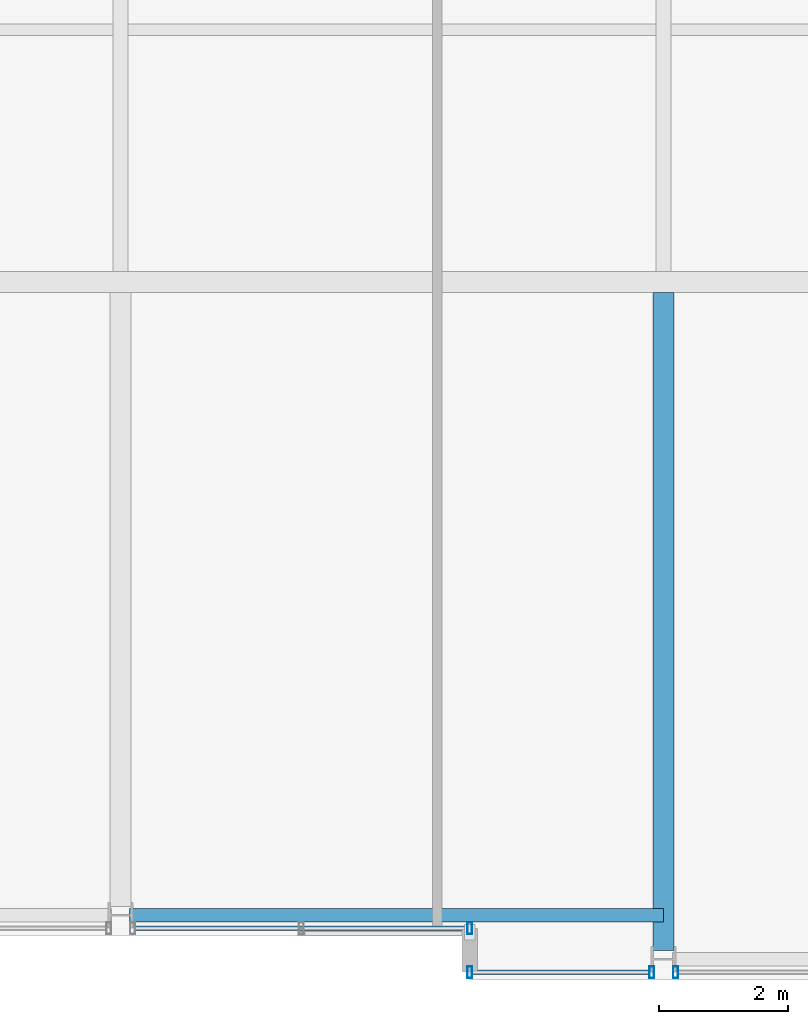
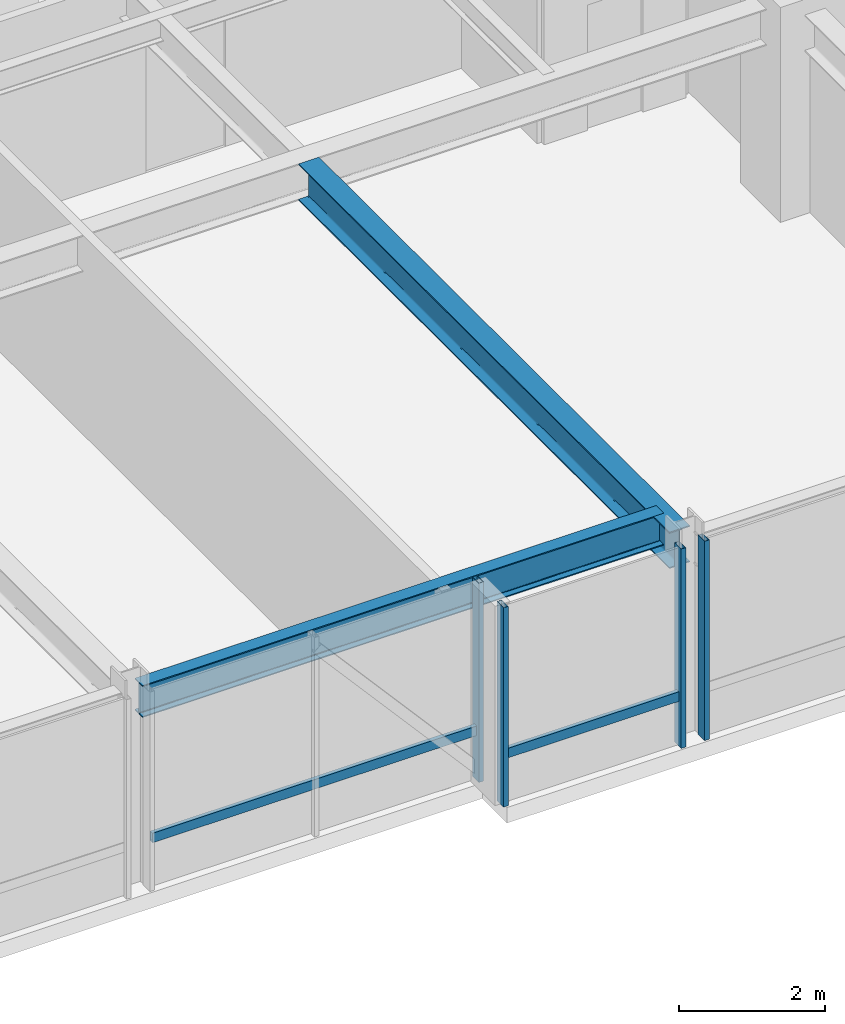
# One storey, part 6 of 31: 6 members, 2 beams, 3 elements without a shape of their own.
"""IFC4 building model written with IfcOpenShell, lengths in metres."""

from ifc_helpers import new_model, si_unit, direction, frame, origin, origin_2d, place, context, subcontext, project, spatial, hollow_rectangle, i_section, extrude, material, layer, layer_set, material_profile, profile_set, type_object, element, aggregate, save


model = new_model("IFC4")

# Units and contexts
model_context = context("Model", 3, precision=1e-05, world=origin(), true_north=direction((0.0, 1.0)))
body_context = subcontext(model_context, "Body", "Model", "MODEL_VIEW")
ifc_project = project(units=[si_unit("LENGTHUNIT", "METRE"), si_unit("AREAUNIT", "SQUARE_METRE"), si_unit("VOLUMEUNIT", "CUBIC_METRE"), si_unit("PLANEANGLEUNIT", "RADIAN"), si_unit("MASSUNIT", "GRAM", prefix="KILO")], contexts=[model_context])

# Site, building, storey
site_placement = place(None, origin())
site = spatial("IfcSite", under=ifc_project, at=site_placement, CompositionType="ELEMENT")
building_placement = place(site_placement, origin())
building = spatial("IfcBuilding", under=site, at=building_placement, Name="Drelvath Grand Hotel", CompositionType="ELEMENT")
storey_placement = place(building_placement, frame((0.0, 0.0, 219.5)))
storey = spatial("IfcBuildingStorey", under=building, at=storey_placement, Name="L57", CompositionType="ELEMENT", Elevation=219.5)

# Curtain wall, member
ifc_material_1 = material(Name="Platinum-Mist Anodised Aluminium Frame", Category="aluminium")
ifc_layer = layer(ifc_material_1, 0.199951171875)
ifc_layer_set = layer_set([ifc_layer], Name="Platinum-Mist Anodised Aluminium Frame")
curtain_wall_type = type_object("IfcCurtainWallType", Name="Stick Curtain Wall CW-05 Platinum Mist High-Rise", PredefinedType="NOTDEFINED", material=ifc_layer_set)
curtain_wall_1_placement = place(storey_placement, origin())
curtain_wall_1 = element("IfcCurtainWall", 1, at=curtain_wall_1_placement, inside=storey, type_object=curtain_wall_type, Name="L57 CW-05 Curtain Wall CW05-L57-SE1", PredefinedType="NOTDEFINED")
ifc_material_profile_1 = material_profile(ifc_material_1, hollow_rectangle(XDim=0.06494140625, YDim=0.159912109375, WallThickness=0.00390625, at=origin_2d()), Name="HSS160X65X4")
ifc_profile_set_1 = profile_set([ifc_material_profile_1], Name="Platinum-Mist Anodised Aluminium Frame")
member_type_1 = type_object("IfcMemberType", Name="Curtain Wall Horizontal Transom CW-05 HSS160X65X4", PredefinedType="USERDEFINED", material=ifc_profile_set_1)
member_1_placement = place(storey_placement, frame((8.1748046875, 0.1201171875, 0.8349609375), z_axis=(-1.0, 0.0, 0.0), x_axis=(0.0, -1.0, 0.0)))
member_1 = element("IfcMember", 2, at=member_1_placement, type_object=member_type_1, Name="CW05-L57-SE1 Sill Transom", ObjectType="TRANSOM", PredefinedType="USERDEFINED", context=body_context, shape_type="SweptSolid", body=[
    extrude(hollow_rectangle(XDim=0.06494140625, YDim=0.159912109375, WallThickness=0.00390625, at=origin_2d()), origin(), (0.0, 0.0, 1.0), 2.73486328125),
])

curtain_wall_2_placement = place(storey_placement, origin())
curtain_wall_2 = element("IfcCurtainWall", 3, at=curtain_wall_2_placement, inside=storey, type_object=curtain_wall_type, Name="L57 CW-05 Curtain Wall CW05-L57-SM2", PredefinedType="NOTDEFINED")
member_2_placement = place(storey_placement, frame((5.360107421875, 0.800048828125, 0.8349609375), z_axis=(-1.0, 0.0, 0.0), x_axis=(0.0, -1.0, 0.0)))
member_2 = element("IfcMember", 4, at=member_2_placement, type_object=member_type_1, Name="CW05-L57-SM2 Sill Transom", ObjectType="TRANSOM", PredefinedType="USERDEFINED", context=body_context, shape_type="SweptSolid", body=[
    extrude(hollow_rectangle(XDim=0.06494140625, YDim=0.159912109375, WallThickness=0.00390625, at=origin_2d()), origin(), (0.0, 0.0, 1.0), 5.134765625),
])

# Member
ifc_material_profile_2 = material_profile(ifc_material_1, hollow_rectangle(XDim=0.074951171875, YDim=0.179931640625, WallThickness=0.0048828125, at=origin_2d()), Name="HSS180X75X5")
ifc_profile_set_2 = profile_set([ifc_material_profile_2], Name="Platinum-Mist Anodised Aluminium Frame")
member_type_2 = type_object("IfcMemberType", Name="Curtain Wall Vertical Mullion CW-05 HSS180X75X5", PredefinedType="MULLION", material=ifc_profile_set_2)
member_3_placement = place(storey_placement, frame((8.214599609375, 0.1201171875, 0.0), z_axis=(0.0, 0.0, 1.0), x_axis=(1.0, 0.0, 0.0)))
member_3 = element("IfcMember", 5, at=member_3_placement, type_object=member_type_2, Name="CW05-L57-SE1 Mullion 1", PredefinedType="MULLION", context=body_context, shape_type="SweptSolid", body=[
    extrude(hollow_rectangle(XDim=0.074951171875, YDim=0.179931640625, WallThickness=0.0048828125, at=origin_2d()), origin(), (0.0, 0.0, 1.0), 3.340087890625),
])

member_4_placement = place(storey_placement, frame((5.39990234375, 0.1201171875, 0.0), z_axis=(0.0, 0.0, 1.0), x_axis=(1.0, 0.0, 0.0)))
member_4 = element("IfcMember", 6, at=member_4_placement, type_object=member_type_2, Name="CW05-L57-SE1 Mullion 2", PredefinedType="MULLION", context=body_context, shape_type="SweptSolid", body=[
    extrude(hollow_rectangle(XDim=0.074951171875, YDim=0.179931640625, WallThickness=0.0048828125, at=origin_2d()), origin(), (0.0, 0.0, 1.0), 3.340087890625),
])

aggregate(curtain_wall_1, [member_3, member_4, member_1])

# Curtain wall, member
curtain_wall_3_placement = place(storey_placement, origin())
curtain_wall_3 = element("IfcCurtainWall", 7, at=curtain_wall_3_placement, inside=storey, type_object=curtain_wall_type, Name="L57 CW-05 Curtain Wall CW05-L57-SE2", PredefinedType="NOTDEFINED")
member_5_placement = place(storey_placement, frame((8.585205078125, 0.1201171875, 0.0), z_axis=(0.0, 0.0, 1.0), x_axis=(1.0, 0.0, 0.0)))
member_5 = element("IfcMember", 8, at=member_5_placement, type_object=member_type_2, Name="CW05-L57-SE2 Mullion 3", PredefinedType="MULLION", context=body_context, shape_type="SweptSolid", body=[
    extrude(hollow_rectangle(XDim=0.074951171875, YDim=0.179931640625, WallThickness=0.0048828125, at=origin_2d()), origin(), (0.0, 0.0, 1.0), 3.340087890625),
])
aggregate(curtain_wall_3, [member_5])

# Member
member_6_placement = place(storey_placement, frame((5.39990234375, 0.800048828125, 0.0), z_axis=(0.0, 0.0, 1.0), x_axis=(1.0, 0.0, 0.0)))
member_6 = element("IfcMember", 9, at=member_6_placement, type_object=member_type_2, Name="CW05-L57-SM2 Mullion 1", PredefinedType="MULLION", context=body_context, shape_type="SweptSolid", body=[
    extrude(hollow_rectangle(XDim=0.074951171875, YDim=0.179931640625, WallThickness=0.0048828125, at=origin_2d()), origin(), (0.0, 0.0, 1.0), 3.340087890625),
])

aggregate(curtain_wall_2, [member_6, member_2])

# Beams
ifc_material_2 = material(Name="Steel ASTM A992 Gr 50", Category="steel")
ifc_material_profile_3 = material_profile(ifc_material_2, i_section(OverallWidth=0.210205078125, OverallDepth=0.53662109375, WebThickness=0.010986328125, FlangeThickness=0.017333984375, FilletRadius=0.01806640625, at=origin_2d()), Name="W21X68")
ifc_profile_set_3 = profile_set([ifc_material_profile_3], Name="Steel ASTM A992 Gr 50")
beam_type_1 = type_object("IfcBeamType", Name="Perimeter Spandrel Beam W21X68", PredefinedType="SPANDREL", material=ifc_profile_set_3)
beam_1_placement = place(storey_placement, frame((0.139892578125, 1.0, 3.07177734375), z_axis=(1.0, 0.0, 0.0), x_axis=(0.0, 1.0, 0.0)))
element("IfcBeam", 10, at=beam_1_placement, inside=storey, type_object=beam_type_1, Name="L57 Spandrel South Mid E", PredefinedType="SPANDREL", context=body_context, shape_type="SweptSolid", body=[
    extrude(i_section(OverallWidth=0.210205078125, OverallDepth=0.53662109375, WebThickness=0.010986328125, FlangeThickness=0.017333984375, FilletRadius=0.01806640625, at=origin_2d()), origin(), (0.0, 0.0, 1.0), 8.260009765625),
])
ifc_material_profile_4 = material_profile(ifc_material_2, i_section(OverallWidth=0.323974609375, OverallDepth=0.611083984375, WebThickness=0.0126953125, FlangeThickness=0.01904296875, FilletRadius=0.02197265625, at=origin_2d()), Name="W24X104")
ifc_profile_set_4 = profile_set([ifc_material_profile_4], Name="Steel ASTM A992 Gr 50")
beam_type_2 = type_object("IfcBeamType", Name="Primary Floor Girder W24X104", PredefinedType="BEAM", material=ifc_profile_set_4)
beam_2_placement = place(storey_placement, frame((8.39990234375, 0.4599609375, 3.034423828125), z_axis=(0.0, 1.0, 0.0), x_axis=(-1.0, 0.0, 0.0)))
element("IfcBeam", 11, at=beam_2_placement, inside=storey, type_object=beam_type_2, Name="L57 South Wing Girder 6", PredefinedType="BEAM", context=body_context, shape_type="SweptSolid", body=[
    extrude(i_section(OverallWidth=0.323974609375, OverallDepth=0.611083984375, WebThickness=0.0126953125, FlangeThickness=0.01904296875, FilletRadius=0.02197265625, at=origin_2d()), origin(), (0.0, 0.0, 1.0), 10.177978515625),
])

save(model, "model.ifc")
